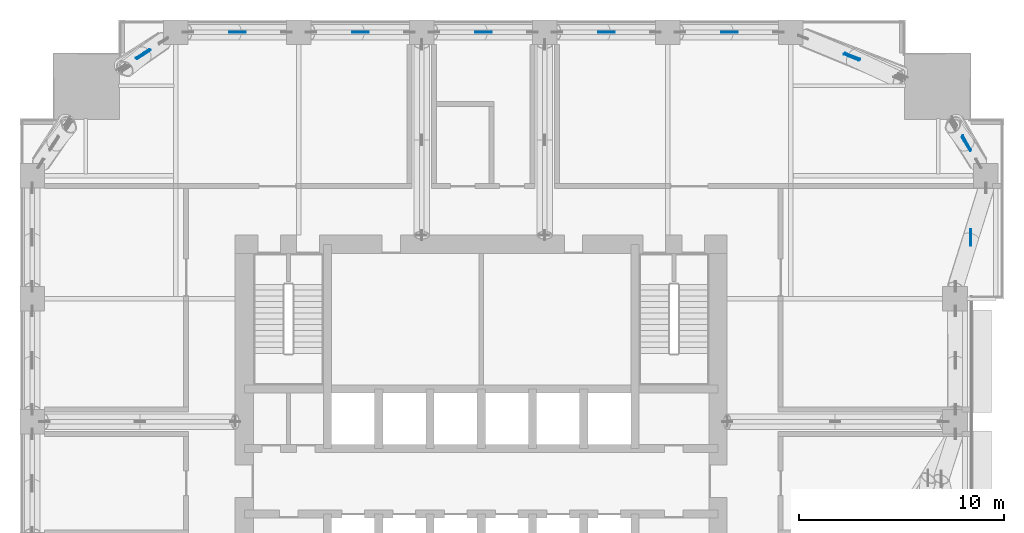
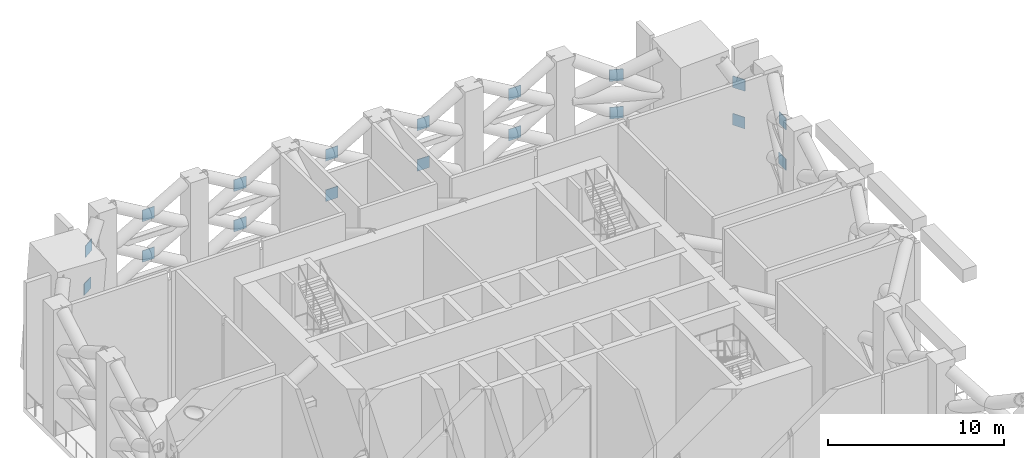
# One storey, part 11 of 18: 18 discrete accessories.
"""IFC4 building model written with IfcOpenShell, lengths in metres."""

from ifc_helpers import new_model, si_unit, direction, frame, origin, origin_2d, place, context, subcontext, project, spatial, rectangle, extrude, element, save


model = new_model("IFC4")

# Units and contexts
model_context = context("Model", 3, precision=1e-05, world=origin(), true_north=direction((0.0, 1.0)))
body_context = subcontext(model_context, "Body", "Model", "MODEL_VIEW")
ifc_project = project(units=[si_unit("LENGTHUNIT", "METRE"), si_unit("AREAUNIT", "SQUARE_METRE"), si_unit("VOLUMEUNIT", "CUBIC_METRE"), si_unit("PLANEANGLEUNIT", "RADIAN"), si_unit("MASSUNIT", "GRAM", prefix="KILO")], contexts=[model_context])

# Site, building, storey
site_placement = place(None, origin())
site = spatial("IfcSite", under=ifc_project, at=site_placement, CompositionType="ELEMENT")
building_placement = place(site_placement, origin())
building = spatial("IfcBuilding", under=site, at=building_placement, Name="Amberfall Residences", CompositionType="ELEMENT")
storey_placement = place(building_placement, frame((0.0, 0.0, 69.699951171875)))
storey = spatial("IfcBuildingStorey", under=building, at=storey_placement, Name="L19", CompositionType="ELEMENT", Elevation=69.699951171875)

# Discrete accessories
for number, where, z_axis, x_axis, name in (
    (1, (98.375, 57.39990234375, 3.89990234375), (0.0, 0.0, 1.0), (0.0, 1.0, 0.0), "Connection plate L19"),
    (2, (98.389892578125, 57.39990234375, 6.7001953125), (0.0, 0.0, 1.0), (0.0, 1.0, 0.0), "Connection plate L19"),
    (3, (62.60009765625, 67.39990234375, 3.89990234375), (0.0, 0.0, 1.0), (1.0, 0.0, 0.0), "Connection plate L19"),
    (4, (62.60009765625, 67.39990234375, 6.7001953125), (0.0, 0.0, 1.0), (1.0, 0.0, 0.0), "Connection plate L19"),
    (5, (68.60009765625, 67.39990234375, 3.89990234375), (0.0, 0.0, 1.0), (1.0, 0.0, 0.0), "Connection plate L19"),
    (6, (68.60009765625, 67.39990234375, 6.7001953125), (0.0, 0.0, 1.0), (1.0, 0.0, 0.0), "Connection plate L19"),
    (7, (74.60009765625, 67.39990234375, 3.89990234375), (0.0, 0.0, 1.0), (1.0, 0.0, 0.0), "Connection plate L19"),
    (8, (74.60009765625, 67.39990234375, 6.7001953125), (0.0, 0.0, 1.0), (1.0, 0.0, 0.0), "Connection plate L19"),
    (9, (80.60009765625, 67.39990234375, 3.89990234375), (0.0, 0.0, 1.0), (1.0, 0.0, 0.0), "Connection plate L19"),
    (10, (80.60009765625, 67.39990234375, 6.7001953125), (0.0, 0.0, 1.0), (1.0, 0.0, 0.0), "Connection plate L19"),
    (11, (86.60009765625, 67.39990234375, 3.89990234375), (0.0, 0.0, 1.0), (1.0, 0.0, 0.0), "Connection plate L19"),
    (12, (86.60009765625, 67.39990234375, 6.7001953125), (0.0, 0.0, 1.0), (1.0, 0.0, 0.0), "Connection plate L19"),
    (13, (98.18408203125, 62.013671875, 3.94921875), (0.0, 0.0, 1.0), (0.492666590061, -0.870218151407, 0.0), "Connection plate L19"),
    (14, (98.155029296875, 61.95361328125, 6.59619140625), (0.0, 0.0, 1.0), (0.523539870984, -0.852001175756, 0.0), "Connection plate L19"),
    (15, (92.612060546875, 66.22900390625, 3.93505859375), (0.0, 0.0, 1.0), (-0.933742952587, 0.357944267303, 0.0), "Connection plate L19"),
    (16, (92.55224609375, 66.180419921875, 6.58154296875), (0.0, 0.0, 1.0), (-0.926061708613, 0.377372113226, 0.0), "Connection plate L19"),
    (17, (57.986083984375, 66.352783203125, 3.94921875), (0.0, 0.0, 1.0), (0.847687195123, 0.530496389455, 0.0), "Connection plate L19"),
    (18, (58.046142578125, 66.31591796875, 6.59619140625), (0.0, 0.0, 1.0), (0.829856500918, 0.557976870385, 0.0), "Connection plate L19"),
):
    element("IfcDiscreteAccessory", number, at=place(storey_placement, frame(where, z_axis=z_axis, x_axis=x_axis)), inside=storey, Name=name, PredefinedType="BRACKET", context=body_context, shape_type="SweptSolid", body=[
        extrude(rectangle(XDim=0.800048828125, YDim=0.0400390625, at=origin_2d()), origin(), (0.0, 0.0, 1.0), 0.800048828125),
    ])

save(model, "model.ifc")
